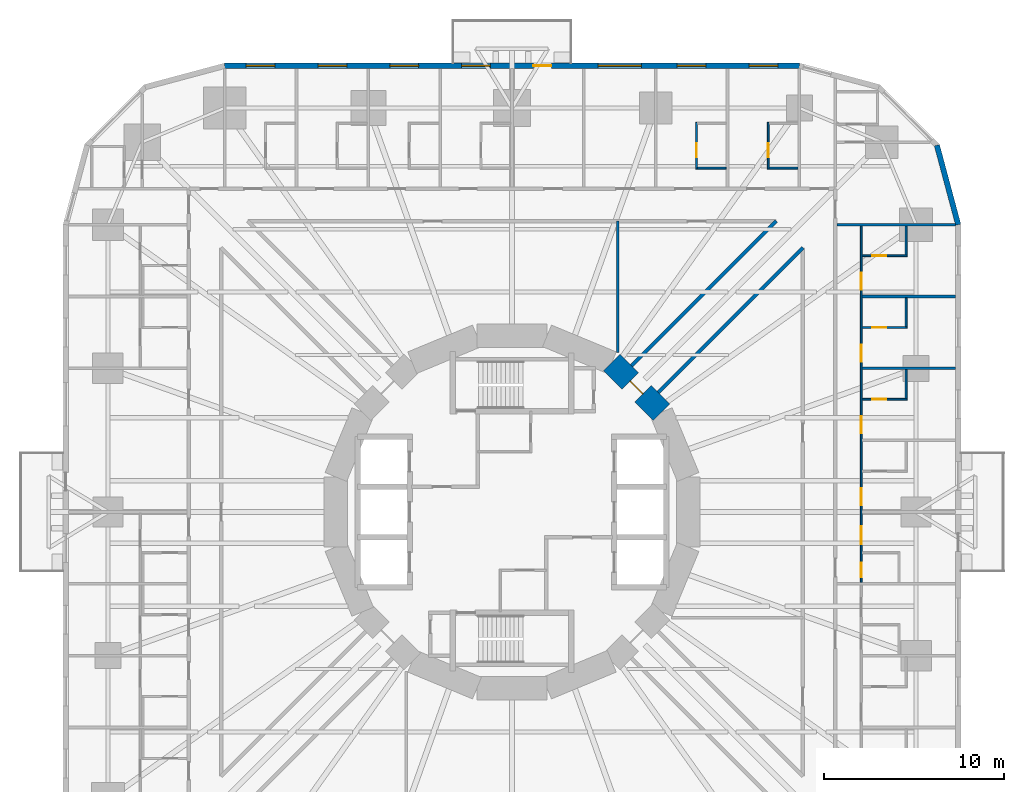
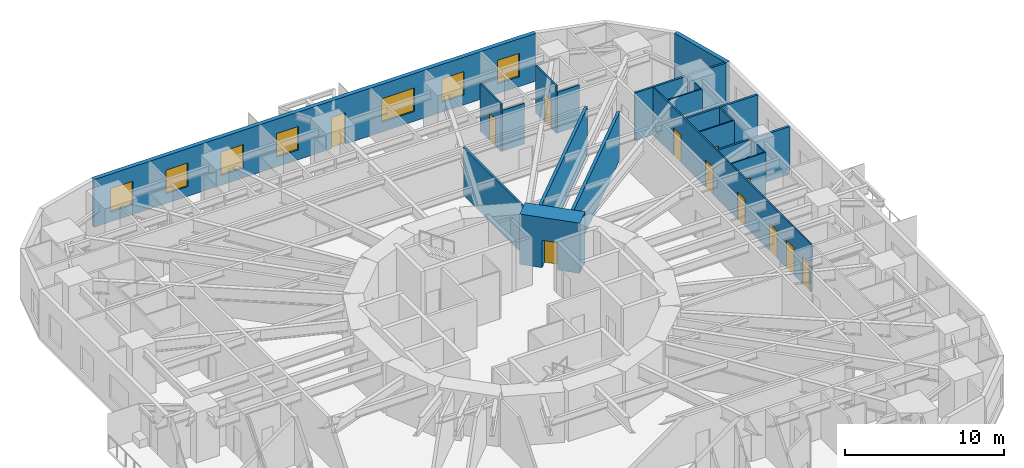
# One storey, part 11 of 14: 20 walls, 13 doors, 7 windows, 20 openings.
"""IFC4 building model written with IfcOpenShell, lengths in metres."""

from ifc_helpers import new_model, si_unit, direction, frame, frame_2d, origin, place, context, subcontext, project, spatial, rectangle, extrude, material, layer, layer_set, type_object, element, fill, save


model = new_model("IFC4")

# Units and contexts
model_context = context("Model", 3, precision=1e-05, world=origin(), true_north=direction((0.0, 1.0)))
body_context = subcontext(model_context, "Body", "Model", "MODEL_VIEW")
ifc_project = project(units=[si_unit("LENGTHUNIT", "METRE"), si_unit("AREAUNIT", "SQUARE_METRE"), si_unit("VOLUMEUNIT", "CUBIC_METRE"), si_unit("PLANEANGLEUNIT", "RADIAN"), si_unit("MASSUNIT", "GRAM", prefix="KILO")], contexts=[model_context])

# Site, building, storey
site_placement = place(None, origin())
site = spatial("IfcSite", under=ifc_project, at=site_placement, CompositionType="ELEMENT")
building_placement = place(site_placement, origin())
building = spatial("IfcBuilding", under=site, at=building_placement, Name="Nakasero Lantern House", CompositionType="ELEMENT")
storey_placement = place(building_placement, frame((0.0, 0.0, 42.949951171875)))
storey = spatial("IfcBuildingStorey", under=building, at=storey_placement, Name="L10", CompositionType="ELEMENT", Elevation=42.949951171875)

# Wall, openings, doors
ifc_material_1 = material(Name="Blockwork", Category="masonry")
ifc_layer_1 = layer(ifc_material_1, 0.10009765625)
ifc_layer_set_1 = layer_set([ifc_layer_1], Name="Cluster hall wall 100")
wall_type_1 = type_object("IfcWallType", Name="Cluster hall wall 100", PredefinedType="PARTITIONING", material=ifc_layer_set_1)
wall_1_placement = place(storey_placement, frame((19.449951171875, -3.925048828125, 0.0), z_axis=(0.0, 0.0, 1.0), x_axis=(0.0, 1.0, 0.0)))
wall_1 = element("IfcWall", 1, at=wall_1_placement, inside=storey, type_object=wall_type_1, Name="Cluster hall wall L10 HW0-1", PredefinedType="PARTITIONING", context=body_context, shape_type="SweptSolid", body=[
    extrude(rectangle(XDim=19.85009765625, YDim=0.10009765625, at=frame_2d((9.925048828125, 0.0))), origin(), (0.0, 0.0, 1.0), 3.650146484375),
])
opening_1_placement = place(wall_1_placement, frame((2.125, 0.0, 0.0)))
opening_1 = element("IfcOpeningElement", 2, at=opening_1_placement, cuts=wall_1, Name="Opening D03", PredefinedType="OPENING", context=body_context, shape_type="SweptSolid", body=[
    extrude(rectangle(XDim=1.0, YDim=2.10009765625, at=frame_2d((0.5, 1.050048828125))), frame((0.0, 0.070068359375, 0.0), z_axis=(0.0, -1.0, 0.0), x_axis=(1.0, 0.0, 0.0)), (0.0, 0.0, 1.0), 0.14013671875),
])
opening_2_placement = place(wall_1_placement, frame((0.300048828125, 0.0, 0.0)))
opening_2 = element("IfcOpeningElement", 3, at=opening_2_placement, cuts=wall_1, Name="Opening D02", PredefinedType="OPENING", context=body_context, shape_type="SweptSolid", body=[
    extrude(rectangle(XDim=0.800048828125, YDim=2.10009765625, at=frame_2d((0.39990234375, 1.050048828125))), frame((0.0, 0.070068359375, 0.0), z_axis=(0.0, -1.0, 0.0), x_axis=(1.0, 0.0, 0.0)), (0.0, 0.0, 1.0), 0.14013671875),
])
opening_3_placement = place(wall_1_placement, frame((4.300048828125, 0.0, 0.0)))
opening_3 = element("IfcOpeningElement", 4, at=opening_3_placement, cuts=wall_1, Name="Opening D01", PredefinedType="OPENING", context=body_context, shape_type="SweptSolid", body=[
    extrude(rectangle(XDim=0.949951171875, YDim=2.10009765625, at=frame_2d((0.47509765625, 1.050048828125))), frame((0.0, 0.070068359375, 0.0), z_axis=(0.0, -1.0, 0.0), x_axis=(1.0, 0.0, 0.0)), (0.0, 0.0, 1.0), 0.14013671875),
])
opening_4_placement = place(wall_1_placement, frame((8.300048828125, 0.0, 0.0)))
opening_4 = element("IfcOpeningElement", 5, at=opening_4_placement, cuts=wall_1, Name="Opening D01", PredefinedType="OPENING", context=body_context, shape_type="SweptSolid", body=[
    extrude(rectangle(XDim=0.949951171875, YDim=2.10009765625, at=frame_2d((0.47509765625, 1.050048828125))), frame((0.0, 0.070068359375, 0.0), z_axis=(0.0, -1.0, 0.0), x_axis=(1.0, 0.0, 0.0)), (0.0, 0.0, 1.0), 0.14013671875),
])
opening_5_placement = place(wall_1_placement, frame((12.300048828125, 0.0, 0.0)))
opening_5 = element("IfcOpeningElement", 6, at=opening_5_placement, cuts=wall_1, Name="Opening D01", PredefinedType="OPENING", context=body_context, shape_type="SweptSolid", body=[
    extrude(rectangle(XDim=0.949951171875, YDim=2.10009765625, at=frame_2d((0.47509765625, 1.050048828125))), frame((0.0, 0.070068359375, 0.0), z_axis=(0.0, -1.0, 0.0), x_axis=(1.0, 0.0, 0.0)), (0.0, 0.0, 1.0), 0.14013671875),
])
opening_6_placement = place(wall_1_placement, frame((16.300048828125, 0.0, 0.0)))
opening_6 = element("IfcOpeningElement", 7, at=opening_6_placement, cuts=wall_1, Name="Opening D01", PredefinedType="OPENING", context=body_context, shape_type="SweptSolid", body=[
    extrude(rectangle(XDim=0.949951171875, YDim=2.10009765625, at=frame_2d((0.47509765625, 1.050048828125))), frame((0.0, 0.070068359375, 0.0), z_axis=(0.0, -1.0, 0.0), x_axis=(1.0, 0.0, 0.0)), (0.0, 0.0, 1.0), 0.14013671875),
])
ifc_material_2 = material(Name="Timber C24", Category="wood")
door_type_1 = type_object("IfcDoorType", Name="Bedroom door FD30S 950", OperationType="SINGLE_SWING_LEFT", PredefinedType="DOOR", material=ifc_material_2)
door_1_placement = place(opening_3_placement, origin())
door_1 = element("IfcDoor", 8, at=door_1_placement, inside=storey, type_object=door_type_1, Name="Door L10 D0-05", OperationType="SINGLE_SWING_LEFT", OverallHeight=2.10009765625, OverallWidth=0.949951171875, PredefinedType="DOOR", context=body_context, shape_type="SweptSolid", body=[
    extrude(rectangle(XDim=0.949951171875, YDim=2.10009765625, at=frame_2d((0.47509765625, 1.050048828125))), frame((0.0, 0.02490234375, 0.0), z_axis=(0.0, -1.0, 0.0), x_axis=(1.0, 0.0, 0.0)), (0.0, 0.0, 1.0), 0.050048828125),
])
fill(opening_3, door_1)
door_2_placement = place(opening_4_placement, origin())
door_2 = element("IfcDoor", 9, at=door_2_placement, inside=storey, type_object=door_type_1, Name="Door L10 D0-06", OperationType="SINGLE_SWING_LEFT", OverallHeight=2.10009765625, OverallWidth=0.949951171875, PredefinedType="DOOR", context=body_context, shape_type="SweptSolid", body=[
    extrude(rectangle(XDim=0.949951171875, YDim=2.10009765625, at=frame_2d((0.47509765625, 1.050048828125))), frame((0.0, 0.02490234375, 0.0), z_axis=(0.0, -1.0, 0.0), x_axis=(1.0, 0.0, 0.0)), (0.0, 0.0, 1.0), 0.050048828125),
])
fill(opening_4, door_2)
door_3_placement = place(opening_5_placement, origin())
door_3 = element("IfcDoor", 10, at=door_3_placement, inside=storey, type_object=door_type_1, Name="Door L10 D0-07", OperationType="SINGLE_SWING_RIGHT", OverallHeight=2.10009765625, OverallWidth=0.949951171875, PredefinedType="DOOR", context=body_context, shape_type="SweptSolid", body=[
    extrude(rectangle(XDim=0.949951171875, YDim=2.10009765625, at=frame_2d((0.47509765625, 1.050048828125))), frame((0.0, 0.02490234375, 0.0), z_axis=(0.0, -1.0, 0.0), x_axis=(1.0, 0.0, 0.0)), (0.0, 0.0, 1.0), 0.050048828125),
])
fill(opening_5, door_3)
door_4_placement = place(opening_6_placement, origin())
door_4 = element("IfcDoor", 11, at=door_4_placement, inside=storey, type_object=door_type_1, Name="Door L10 D0-08", OperationType="SINGLE_SWING_RIGHT", OverallHeight=2.10009765625, OverallWidth=0.949951171875, PredefinedType="DOOR", context=body_context, shape_type="SweptSolid", body=[
    extrude(rectangle(XDim=0.949951171875, YDim=2.10009765625, at=frame_2d((0.47509765625, 1.050048828125))), frame((0.0, 0.02490234375, 0.0), z_axis=(0.0, -1.0, 0.0), x_axis=(1.0, 0.0, 0.0)), (0.0, 0.0, 1.0), 0.050048828125),
])
fill(opening_6, door_4)
ifc_material_3 = material(Name="Timber C24", Category="wood")
door_type_2 = type_object("IfcDoorType", Name="En-suite door 800", OperationType="SINGLE_SWING_RIGHT", PredefinedType="DOOR", material=ifc_material_3)
door_5_placement = place(opening_2_placement, origin())
door_5 = element("IfcDoor", 12, at=door_5_placement, inside=storey, type_object=door_type_2, Name="Door L10 DSH0-1", OperationType="SINGLE_SWING_LEFT", OverallHeight=2.10009765625, OverallWidth=0.800048828125, PredefinedType="DOOR", context=body_context, shape_type="SweptSolid", body=[
    extrude(rectangle(XDim=0.800048828125, YDim=2.10009765625, at=frame_2d((0.39990234375, 1.050048828125))), frame((0.0, 0.02490234375, 0.0), z_axis=(0.0, -1.0, 0.0), x_axis=(1.0, 0.0, 0.0)), (0.0, 0.0, 1.0), 0.050048828125),
])
fill(opening_2, door_5)
ifc_material_4 = material(Name="Timber C24", Category="wood")
door_type_3 = type_object("IfcDoorType", Name="Lounge door FD30S 1000", OperationType="SINGLE_SWING_LEFT", PredefinedType="DOOR", material=ifc_material_4)
door_6_placement = place(opening_1_placement, origin())
door_6 = element("IfcDoor", 13, at=door_6_placement, inside=storey, type_object=door_type_3, Name="Door L10 DH0-1", OperationType="SINGLE_SWING_LEFT", OverallHeight=2.10009765625, OverallWidth=1.0, PredefinedType="DOOR", context=body_context, shape_type="SweptSolid", body=[
    extrude(rectangle(XDim=1.0, YDim=2.10009765625, at=frame_2d((0.5, 1.050048828125))), frame((0.0, 0.02490234375, 0.0), z_axis=(0.0, -1.0, 0.0), x_axis=(1.0, 0.0, 0.0)), (0.0, 0.0, 1.0), 0.050048828125),
])
fill(opening_1, door_6)

# Wall, opening, door
ifc_material_5 = material(Name="Concrete C50/60", Category="concrete")
ifc_layer_2 = layer(ifc_material_5, 1.300048828125)
ifc_layer_set_2 = layer_set([ifc_layer_2], Name="Core wall 1300")
wall_type_2 = type_object("IfcWallType", Name="Core wall 1300", PredefinedType="SHEAR", material=ifc_layer_set_2)
wall_2_placement = place(storey_placement, frame((8.314697265625, 5.5556640625, 0.0), z_axis=(0.0, 0.0, 1.0), x_axis=(-0.707106781187, 0.707106781187, 0.0)))
wall_2 = element("IfcWall", 14, at=wall_2_placement, inside=storey, type_object=wall_type_2, Name="Core wall L10 facet 2", PredefinedType="SHEAR", context=body_context, shape_type="SweptSolid", body=[
    extrude(rectangle(XDim=3.90185546875, YDim=1.300048828125, at=frame_2d((1.950927734375, 0.0))), origin(), (0.0, 0.0, 1.0), 3.85009765625),
])
opening_7_placement = place(wall_2_placement, frame((1.450927734375, 0.0, 0.0)))
opening_7 = element("IfcOpeningElement", 15, at=opening_7_placement, cuts=wall_2, Name="Opening D05", PredefinedType="OPENING", context=body_context, shape_type="SweptSolid", body=[
    extrude(rectangle(XDim=1.0, YDim=2.10009765625, at=frame_2d((0.5, 1.050048828125))), frame((0.0, 0.669921875, 0.0), z_axis=(0.0, -1.0, 0.0), x_axis=(1.0, 0.0, 0.0)), (0.0, 0.0, 1.0), 1.340087890625),
])
ifc_material_6 = material(Name="Timber C24", Category="wood")
door_type_4 = type_object("IfcDoorType", Name="Core door FD60S 1000", OperationType="SINGLE_SWING_LEFT", PredefinedType="DOOR", material=ifc_material_6)
door_7_placement = place(opening_7_placement, origin())
door_7 = element("IfcDoor", 16, at=door_7_placement, inside=storey, type_object=door_type_4, Name="Door L10 D-CORE02", OperationType="SINGLE_SWING_LEFT", OverallHeight=2.10009765625, OverallWidth=1.0, PredefinedType="DOOR", context=body_context, shape_type="SweptSolid", body=[
    extrude(rectangle(XDim=1.0, YDim=2.10009765625, at=frame_2d((0.5, 1.050048828125))), frame((0.0, 0.02490234375, 0.0), z_axis=(0.0, -1.0, 0.0), x_axis=(1.0, 0.0, 0.0)), (0.0, 0.0, 1.0), 0.050048828125),
])
fill(opening_7, door_7)

# Walls
ifc_material_7 = material(Name="Blockwork", Category="masonry")
ifc_layer_3 = layer(ifc_material_7, 0.199951171875)
ifc_layer_set_3 = layer_set([ifc_layer_3], Name="Corridor wall 200")
wall_type_3 = type_object("IfcWallType", Name="Corridor wall 200", PredefinedType="PARTITIONING", material=ifc_layer_set_3)
for number, where, z_axis, x_axis, name in (
    (17, (6.65234375, 8.13720703125, 0.0), (0.0, 0.0, 1.0), (0.707106781187, 0.707106781187, 0.0), "Corridor wall L10 PS02a"),
    (18, (8.13720703125, 6.65234375, 0.0), (0.0, 0.0, 1.0), (0.707106781187, 0.707106781187, 0.0), "Corridor wall L10 PS02b"),
):
    element("IfcWall", number, at=place(storey_placement, frame(where, z_axis=z_axis, x_axis=x_axis)), inside=storey, type_object=wall_type_3, Name=name, PredefinedType="PARTITIONING", context=body_context, shape_type="SweptSolid", body=[
        extrude(rectangle(XDim=11.40234375, YDim=0.199951171875, at=frame_2d((5.701171875, 0.0))), origin(), (0.0, 0.0, 1.0), 3.650146484375),
    ])

# Wall, opening, door
ifc_material_8 = material(Name="Blockwork", Category="masonry")
ifc_layer_4 = layer(ifc_material_8, 0.10009765625)
ifc_layer_set_4 = layer_set([ifc_layer_4], Name="En-suite wall 100")
wall_type_4 = type_object("IfcWallType", Name="En-suite wall 100", PredefinedType="PARTITIONING", material=ifc_layer_set_4)
wall_3_placement = place(storey_placement, frame((19.5, 6.27490234375, 0.0), z_axis=(0.0, 0.0, 1.0), x_axis=(1.0, 0.0, 0.0)))
wall_3 = element("IfcWall", 19, at=wall_3_placement, inside=storey, type_object=wall_type_4, Name="En-suite wall L10 ES0-06", PredefinedType="PARTITIONING", context=body_context, shape_type="SweptSolid", body=[
    extrude(rectangle(XDim=2.5, YDim=0.10009765625, at=frame_2d((1.25, 0.0))), origin(), (0.0, 0.0, 1.0), 3.650146484375),
])
opening_8_placement = place(wall_3_placement, frame((0.550048828125, 0.0, 0.0)))
opening_8 = element("IfcOpeningElement", 20, at=opening_8_placement, cuts=wall_3, Name="Opening D02", PredefinedType="OPENING", context=body_context, shape_type="SweptSolid", body=[
    extrude(rectangle(XDim=0.800048828125, YDim=2.10009765625, at=frame_2d((0.39990234375, 1.050048828125))), frame((0.0, 0.070068359375, 0.0), z_axis=(0.0, -1.0, 0.0), x_axis=(1.0, 0.0, 0.0)), (0.0, 0.0, 1.0), 0.14013671875),
])
door_8_placement = place(opening_8_placement, origin())
door_8 = element("IfcDoor", 21, at=door_8_placement, inside=storey, type_object=door_type_2, Name="Door L10 DE0-06", OperationType="SINGLE_SWING_LEFT", OverallHeight=2.10009765625, OverallWidth=0.800048828125, PredefinedType="DOOR", context=body_context, shape_type="SweptSolid", body=[
    extrude(rectangle(XDim=0.800048828125, YDim=2.10009765625, at=frame_2d((0.39990234375, 1.050048828125))), frame((0.0, 0.02490234375, 0.0), z_axis=(0.0, -1.0, 0.0), x_axis=(1.0, 0.0, 0.0)), (0.0, 0.0, 1.0), 0.050048828125),
])
fill(opening_8, door_8)

# Wall
wall_4_placement = place(storey_placement, frame((21.949951171875, 6.324951171875, 0.0), z_axis=(0.0, 0.0, 1.0), x_axis=(0.0, 1.0, 0.0)))
element("IfcWall", 22, at=wall_4_placement, inside=storey, type_object=wall_type_4, Name="En-suite wall L10 EE0-06", PredefinedType="PARTITIONING", context=body_context, shape_type="SweptSolid", body=[
    extrude(rectangle(XDim=1.60009765625, YDim=0.10009765625, at=frame_2d((0.800048828125, 0.0))), origin(), (0.0, 0.0, 1.0), 3.650146484375),
])

# Wall, opening, door
wall_5_placement = place(storey_placement, frame((19.5, 10.27490234375, 0.0), z_axis=(0.0, 0.0, 1.0), x_axis=(1.0, 0.0, 0.0)))
wall_5 = element("IfcWall", 23, at=wall_5_placement, inside=storey, type_object=wall_type_4, Name="En-suite wall L10 ES0-07", PredefinedType="PARTITIONING", context=body_context, shape_type="SweptSolid", body=[
    extrude(rectangle(XDim=2.5, YDim=0.10009765625, at=frame_2d((1.25, 0.0))), origin(), (0.0, 0.0, 1.0), 3.650146484375),
])
opening_9_placement = place(wall_5_placement, frame((0.550048828125, 0.0, 0.0)))
opening_9 = element("IfcOpeningElement", 24, at=opening_9_placement, cuts=wall_5, Name="Opening D02", PredefinedType="OPENING", context=body_context, shape_type="SweptSolid", body=[
    extrude(rectangle(XDim=0.800048828125, YDim=2.10009765625, at=frame_2d((0.39990234375, 1.050048828125))), frame((0.0, 0.070068359375, 0.0), z_axis=(0.0, -1.0, 0.0), x_axis=(1.0, 0.0, 0.0)), (0.0, 0.0, 1.0), 0.14013671875),
])
door_9_placement = place(opening_9_placement, origin())
door_9 = element("IfcDoor", 25, at=door_9_placement, inside=storey, type_object=door_type_2, Name="Door L10 DE0-07", OperationType="SINGLE_SWING_LEFT", OverallHeight=2.10009765625, OverallWidth=0.800048828125, PredefinedType="DOOR", context=body_context, shape_type="SweptSolid", body=[
    extrude(rectangle(XDim=0.800048828125, YDim=2.10009765625, at=frame_2d((0.39990234375, 1.050048828125))), frame((0.0, 0.02490234375, 0.0), z_axis=(0.0, -1.0, 0.0), x_axis=(1.0, 0.0, 0.0)), (0.0, 0.0, 1.0), 0.050048828125),
])
fill(opening_9, door_9)

# Wall
wall_6_placement = place(storey_placement, frame((21.949951171875, 10.324951171875, 0.0), z_axis=(0.0, 0.0, 1.0), x_axis=(0.0, 1.0, 0.0)))
element("IfcWall", 26, at=wall_6_placement, inside=storey, type_object=wall_type_4, Name="En-suite wall L10 EE0-07", PredefinedType="PARTITIONING", context=body_context, shape_type="SweptSolid", body=[
    extrude(rectangle(XDim=1.60009765625, YDim=0.10009765625, at=frame_2d((0.800048828125, 0.0))), origin(), (0.0, 0.0, 1.0), 3.650146484375),
])

# Wall, opening, door
wall_7_placement = place(storey_placement, frame((19.5, 14.27490234375, 0.0), z_axis=(0.0, 0.0, 1.0), x_axis=(1.0, 0.0, 0.0)))
wall_7 = element("IfcWall", 27, at=wall_7_placement, inside=storey, type_object=wall_type_4, Name="En-suite wall L10 ES0-08", PredefinedType="PARTITIONING", context=body_context, shape_type="SweptSolid", body=[
    extrude(rectangle(XDim=2.5, YDim=0.10009765625, at=frame_2d((1.25, 0.0))), origin(), (0.0, 0.0, 1.0), 3.650146484375),
])
opening_10_placement = place(wall_7_placement, frame((0.550048828125, 0.0, 0.0)))
opening_10 = element("IfcOpeningElement", 28, at=opening_10_placement, cuts=wall_7, Name="Opening D02", PredefinedType="OPENING", context=body_context, shape_type="SweptSolid", body=[
    extrude(rectangle(XDim=0.800048828125, YDim=2.10009765625, at=frame_2d((0.39990234375, 1.050048828125))), frame((0.0, 0.070068359375, 0.0), z_axis=(0.0, -1.0, 0.0), x_axis=(1.0, 0.0, 0.0)), (0.0, 0.0, 1.0), 0.14013671875),
])
door_10_placement = place(opening_10_placement, origin())
door_10 = element("IfcDoor", 29, at=door_10_placement, inside=storey, type_object=door_type_2, Name="Door L10 DE0-08", OperationType="SINGLE_SWING_LEFT", OverallHeight=2.10009765625, OverallWidth=0.800048828125, PredefinedType="DOOR", context=body_context, shape_type="SweptSolid", body=[
    extrude(rectangle(XDim=0.800048828125, YDim=2.10009765625, at=frame_2d((0.39990234375, 1.050048828125))), frame((0.0, 0.02490234375, 0.0), z_axis=(0.0, -1.0, 0.0), x_axis=(1.0, 0.0, 0.0)), (0.0, 0.0, 1.0), 0.050048828125),
])
fill(opening_10, door_10)

# Wall
wall_8_placement = place(storey_placement, frame((21.949951171875, 14.324951171875, 0.0), z_axis=(0.0, 0.0, 1.0), x_axis=(0.0, 1.0, 0.0)))
element("IfcWall", 30, at=wall_8_placement, inside=storey, type_object=wall_type_4, Name="En-suite wall L10 EE0-08", PredefinedType="PARTITIONING", context=body_context, shape_type="SweptSolid", body=[
    extrude(rectangle(XDim=1.60009765625, YDim=0.10009765625, at=frame_2d((0.800048828125, 0.0))), origin(), (0.0, 0.0, 1.0), 3.650146484375),
])

# Wall, opening, door
wall_9_placement = place(storey_placement, frame((14.27490234375, 19.10009765625, 0.0), z_axis=(0.0, 0.0, 1.0), x_axis=(0.0, 1.0, 0.0)))
wall_9 = element("IfcWall", 31, at=wall_9_placement, inside=storey, type_object=wall_type_4, Name="En-suite wall L10 ES1-01", PredefinedType="PARTITIONING", context=body_context, shape_type="SweptSolid", body=[
    extrude(rectangle(XDim=2.599853515625, YDim=0.10009765625, at=frame_2d((1.2998046875, 0.0))), origin(), (0.0, 0.0, 1.0), 3.650146484375),
])
opening_11_placement = place(wall_9_placement, frame((0.64990234375, 0.0, 0.0)))
opening_11 = element("IfcOpeningElement", 32, at=opening_11_placement, cuts=wall_9, Name="Opening D02", PredefinedType="OPENING", context=body_context, shape_type="SweptSolid", body=[
    extrude(rectangle(XDim=0.800048828125, YDim=2.10009765625, at=frame_2d((0.39990234375, 1.050048828125))), frame((0.0, 0.070068359375, 0.0), z_axis=(0.0, -1.0, 0.0), x_axis=(1.0, 0.0, 0.0)), (0.0, 0.0, 1.0), 0.14013671875),
])
door_11_placement = place(opening_11_placement, origin())
door_11 = element("IfcDoor", 33, at=door_11_placement, inside=storey, type_object=door_type_2, Name="Door L10 DE1-01", OperationType="SINGLE_SWING_LEFT", OverallHeight=2.10009765625, OverallWidth=0.800048828125, PredefinedType="DOOR", context=body_context, shape_type="SweptSolid", body=[
    extrude(rectangle(XDim=0.800048828125, YDim=2.10009765625, at=frame_2d((0.39990234375, 1.050048828125))), frame((0.0, 0.02490234375, 0.0), z_axis=(0.0, -1.0, 0.0), x_axis=(1.0, 0.0, 0.0)), (0.0, 0.0, 1.0), 0.050048828125),
])
fill(opening_11, door_11)

# Wall
wall_10_placement = place(storey_placement, frame((15.925048828125, 19.14990234375, 0.0), z_axis=(0.0, 0.0, 1.0), x_axis=(-1.0, 0.0, 0.0)))
element("IfcWall", 34, at=wall_10_placement, inside=storey, type_object=wall_type_4, Name="En-suite wall L10 EI1-01", PredefinedType="PARTITIONING", context=body_context, shape_type="SweptSolid", body=[
    extrude(rectangle(XDim=1.60009765625, YDim=0.10009765625, at=frame_2d((0.800048828125, 0.0))), origin(), (0.0, 0.0, 1.0), 3.121826171875),
])

# Wall, opening, door
wall_11_placement = place(storey_placement, frame((10.27490234375, 19.10009765625, 0.0), z_axis=(0.0, 0.0, 1.0), x_axis=(0.0, 1.0, 0.0)))
wall_11 = element("IfcWall", 35, at=wall_11_placement, inside=storey, type_object=wall_type_4, Name="En-suite wall L10 ES1-02", PredefinedType="PARTITIONING", context=body_context, shape_type="SweptSolid", body=[
    extrude(rectangle(XDim=2.599853515625, YDim=0.10009765625, at=frame_2d((1.2998046875, 0.0))), origin(), (0.0, 0.0, 1.0), 3.650146484375),
])
opening_12_placement = place(wall_11_placement, frame((0.64990234375, 0.0, 0.0)))
opening_12 = element("IfcOpeningElement", 36, at=opening_12_placement, cuts=wall_11, Name="Opening D02", PredefinedType="OPENING", context=body_context, shape_type="SweptSolid", body=[
    extrude(rectangle(XDim=0.800048828125, YDim=2.10009765625, at=frame_2d((0.39990234375, 1.050048828125))), frame((0.0, 0.070068359375, 0.0), z_axis=(0.0, -1.0, 0.0), x_axis=(1.0, 0.0, 0.0)), (0.0, 0.0, 1.0), 0.14013671875),
])
door_12_placement = place(opening_12_placement, origin())
door_12 = element("IfcDoor", 37, at=door_12_placement, inside=storey, type_object=door_type_2, Name="Door L10 DE1-02", OperationType="SINGLE_SWING_LEFT", OverallHeight=2.10009765625, OverallWidth=0.800048828125, PredefinedType="DOOR", context=body_context, shape_type="SweptSolid", body=[
    extrude(rectangle(XDim=0.800048828125, YDim=2.10009765625, at=frame_2d((0.39990234375, 1.050048828125))), frame((0.0, 0.02490234375, 0.0), z_axis=(0.0, -1.0, 0.0), x_axis=(1.0, 0.0, 0.0)), (0.0, 0.0, 1.0), 0.050048828125),
])
fill(opening_12, door_12)

# Walls
wall_12_placement = place(storey_placement, frame((11.925048828125, 19.14990234375, 0.0), z_axis=(0.0, 0.0, 1.0), x_axis=(-1.0, 0.0, 0.0)))
element("IfcWall", 38, at=wall_12_placement, inside=storey, type_object=wall_type_4, Name="En-suite wall L10 EI1-02", PredefinedType="PARTITIONING", context=body_context, shape_type="SweptSolid", body=[
    extrude(rectangle(XDim=1.60009765625, YDim=0.10009765625, at=frame_2d((0.800048828125, 0.0))), origin(), (0.0, 0.0, 1.0), 3.121826171875),
])
ifc_material_9 = material(Name="Aluminium rainscreen on blockwork", Category="masonry")
ifc_layer_5 = layer(ifc_material_9, 0.300048828125)
ifc_layer_set_5 = layer_set([ifc_layer_5], Name="Facade wall 300")
wall_type_5 = type_object("IfcWallType", Name="Facade wall 300", PredefinedType="SOLIDWALL", material=ifc_layer_set_5)
wall_13_placement = place(storey_placement, frame((24.85009765625, 16.0, 0.0), z_axis=(0.0, 0.0, 1.0), x_axis=(-0.258839972501, 0.965920218567, 0.0)))
element("IfcWall", 39, at=wall_13_placement, inside=storey, type_object=wall_type_5, Name="Facade wall L10 FW0C1", PredefinedType="SOLIDWALL", context=body_context, shape_type="SweptSolid", body=[
    extrude(rectangle(XDim=4.5810546875, YDim=0.300048828125, at=frame_2d((2.29052734375, 0.0))), origin(), (0.0, 0.0, 1.0), 3.650146484375),
])

# Wall, openings, door, windows
wall_14_placement = place(storey_placement, frame((16.0, 24.85009765625, 0.0), z_axis=(0.0, 0.0, 1.0), x_axis=(-1.0, 0.0, 0.0)))
wall_14 = element("IfcWall", 40, at=wall_14_placement, inside=storey, type_object=wall_type_5, Name="Facade wall L10 FW1S", PredefinedType="SOLIDWALL", context=body_context, shape_type="SweptSolid", body=[
    extrude(rectangle(XDim=32.0, YDim=0.300048828125, at=frame_2d((16.0, 0.0))), origin(), (0.0, 0.0, 1.0), 3.650146484375),
])
opening_13_placement = place(wall_14_placement, frame((1.199951171875, 0.0, 0.75)))
opening_13 = element("IfcOpeningElement", 41, at=opening_13_placement, cuts=wall_14, Name="Opening W01", PredefinedType="OPENING", context=body_context, shape_type="SweptSolid", body=[
    extrude(rectangle(XDim=1.60009765625, YDim=1.800048828125, at=frame_2d((0.800048828125, 0.89990234375))), frame((0.0, 0.169921875, 0.0), z_axis=(0.0, -1.0, 0.0), x_axis=(1.0, 0.0, 0.0)), (0.0, 0.0, 1.0), 0.340087890625),
])
opening_14_placement = place(wall_14_placement, frame((5.199951171875, 0.0, 0.75)))
opening_14 = element("IfcOpeningElement", 42, at=opening_14_placement, cuts=wall_14, Name="Opening W01", PredefinedType="OPENING", context=body_context, shape_type="SweptSolid", body=[
    extrude(rectangle(XDim=1.60009765625, YDim=1.800048828125, at=frame_2d((0.800048828125, 0.89990234375))), frame((0.0, 0.169921875, 0.0), z_axis=(0.0, -1.0, 0.0), x_axis=(1.0, 0.0, 0.0)), (0.0, 0.0, 1.0), 0.340087890625),
])
opening_15_placement = place(wall_14_placement, frame((17.199951171875, 0.0, 0.75)))
opening_15 = element("IfcOpeningElement", 43, at=opening_15_placement, cuts=wall_14, Name="Opening W01", PredefinedType="OPENING", context=body_context, shape_type="SweptSolid", body=[
    extrude(rectangle(XDim=1.60009765625, YDim=1.800048828125, at=frame_2d((0.800048828125, 0.89990234375))), frame((0.0, 0.169921875, 0.0), z_axis=(0.0, -1.0, 0.0), x_axis=(1.0, 0.0, 0.0)), (0.0, 0.0, 1.0), 0.340087890625),
])
opening_16_placement = place(wall_14_placement, frame((21.199951171875, 0.0, 0.75)))
opening_16 = element("IfcOpeningElement", 44, at=opening_16_placement, cuts=wall_14, Name="Opening W01", PredefinedType="OPENING", context=body_context, shape_type="SweptSolid", body=[
    extrude(rectangle(XDim=1.60009765625, YDim=1.800048828125, at=frame_2d((0.800048828125, 0.89990234375))), frame((0.0, 0.169921875, 0.0), z_axis=(0.0, -1.0, 0.0), x_axis=(1.0, 0.0, 0.0)), (0.0, 0.0, 1.0), 0.340087890625),
])
opening_17_placement = place(wall_14_placement, frame((25.199951171875, 0.0, 0.75)))
opening_17 = element("IfcOpeningElement", 45, at=opening_17_placement, cuts=wall_14, Name="Opening W01", PredefinedType="OPENING", context=body_context, shape_type="SweptSolid", body=[
    extrude(rectangle(XDim=1.60009765625, YDim=1.800048828125, at=frame_2d((0.800048828125, 0.89990234375))), frame((0.0, 0.169921875, 0.0), z_axis=(0.0, -1.0, 0.0), x_axis=(1.0, 0.0, 0.0)), (0.0, 0.0, 1.0), 0.340087890625),
])
opening_18_placement = place(wall_14_placement, frame((29.199951171875, 0.0, 0.75)))
opening_18 = element("IfcOpeningElement", 46, at=opening_18_placement, cuts=wall_14, Name="Opening W01", PredefinedType="OPENING", context=body_context, shape_type="SweptSolid", body=[
    extrude(rectangle(XDim=1.60009765625, YDim=1.800048828125, at=frame_2d((0.800048828125, 0.89990234375))), frame((0.0, 0.169921875, 0.0), z_axis=(0.0, -1.0, 0.0), x_axis=(1.0, 0.0, 0.0)), (0.0, 0.0, 1.0), 0.340087890625),
])
opening_19_placement = place(wall_14_placement, frame((8.800048828125, 0.0, 0.75)))
opening_19 = element("IfcOpeningElement", 47, at=opening_19_placement, cuts=wall_14, Name="Opening W03", PredefinedType="OPENING", context=body_context, shape_type="SweptSolid", body=[
    extrude(rectangle(XDim=2.39990234375, YDim=1.800048828125, at=frame_2d((1.199951171875, 0.89990234375))), frame((0.0, 0.169921875, 0.0), z_axis=(0.0, -1.0, 0.0), x_axis=(1.0, 0.0, 0.0)), (0.0, 0.0, 1.0), 0.340087890625),
])
opening_20_placement = place(wall_14_placement, frame((13.8125, 0.0, 0.0)))
opening_20 = element("IfcOpeningElement", 48, at=opening_20_placement, cuts=wall_14, Name="Opening D04", PredefinedType="OPENING", context=body_context, shape_type="SweptSolid", body=[
    extrude(rectangle(XDim=1.0, YDim=2.39990234375, at=frame_2d((0.5, 1.199951171875))), frame((0.0, 0.169921875, 0.0), z_axis=(0.0, -1.0, 0.0), x_axis=(1.0, 0.0, 0.0)), (0.0, 0.0, 1.0), 0.340087890625),
])
ifc_material_10 = material(Name="Aluminium 6063-T6 and glass", Category="aluminium")
door_type_5 = type_object("IfcDoorType", Name="Balcony door 1000x2400", OperationType="SINGLE_SWING_RIGHT", PredefinedType="DOOR", material=ifc_material_10)
door_13_placement = place(opening_20_placement, origin())
door_13 = element("IfcDoor", 49, at=door_13_placement, inside=storey, type_object=door_type_5, Name="Balcony door L10 DB1", OperationType="SINGLE_SWING_RIGHT", OverallHeight=2.39990234375, OverallWidth=1.0, PredefinedType="DOOR", context=body_context, shape_type="SweptSolid", body=[
    extrude(rectangle(XDim=1.0, YDim=2.39990234375, at=frame_2d((0.5, 1.199951171875))), frame((0.0, 0.02490234375, 0.0), z_axis=(0.0, -1.0, 0.0), x_axis=(1.0, 0.0, 0.0)), (0.0, 0.0, 1.0), 0.050048828125),
])
fill(opening_20, door_13)
ifc_material_11 = material(Name="Aluminium 6063-T6 and glass", Category="aluminium")
window_type_1 = type_object("IfcWindowType", Name="Bedroom window 1600x1800", PartitioningType="SINGLE_PANEL", PredefinedType="WINDOW", material=ifc_material_11)
window_1_placement = place(opening_13_placement, origin())
window_1 = element("IfcWindow", 50, at=window_1_placement, inside=storey, type_object=window_type_1, Name="Window L10 WN1-01", OverallHeight=1.800048828125, OverallWidth=1.60009765625, PartitioningType="SINGLE_PANEL", PredefinedType="WINDOW", context=body_context, shape_type="SweptSolid", body=[
    extrude(rectangle(XDim=1.60009765625, YDim=1.800048828125, at=frame_2d((0.800048828125, 0.89990234375))), frame((0.0, 0.030029296875, 0.0), z_axis=(0.0, -1.0, 0.0), x_axis=(1.0, 0.0, 0.0)), (0.0, 0.0, 1.0), 0.06005859375),
])
fill(opening_13, window_1)
window_2_placement = place(opening_14_placement, origin())
window_2 = element("IfcWindow", 51, at=window_2_placement, inside=storey, type_object=window_type_1, Name="Window L10 WN1-02", OverallHeight=1.800048828125, OverallWidth=1.60009765625, PartitioningType="SINGLE_PANEL", PredefinedType="WINDOW", context=body_context, shape_type="SweptSolid", body=[
    extrude(rectangle(XDim=1.60009765625, YDim=1.800048828125, at=frame_2d((0.800048828125, 0.89990234375))), frame((0.0, 0.030029296875, 0.0), z_axis=(0.0, -1.0, 0.0), x_axis=(1.0, 0.0, 0.0)), (0.0, 0.0, 1.0), 0.06005859375),
])
fill(opening_14, window_2)
window_3_placement = place(opening_15_placement, origin())
window_3 = element("IfcWindow", 52, at=window_3_placement, inside=storey, type_object=window_type_1, Name="Window L10 WN1-05", OverallHeight=1.800048828125, OverallWidth=1.60009765625, PartitioningType="SINGLE_PANEL", PredefinedType="WINDOW", context=body_context, shape_type="SweptSolid", body=[
    extrude(rectangle(XDim=1.60009765625, YDim=1.800048828125, at=frame_2d((0.800048828125, 0.89990234375))), frame((0.0, 0.030029296875, 0.0), z_axis=(0.0, -1.0, 0.0), x_axis=(1.0, 0.0, 0.0)), (0.0, 0.0, 1.0), 0.06005859375),
])
fill(opening_15, window_3)
window_4_placement = place(opening_16_placement, origin())
window_4 = element("IfcWindow", 53, at=window_4_placement, inside=storey, type_object=window_type_1, Name="Window L10 WN1-06", OverallHeight=1.800048828125, OverallWidth=1.60009765625, PartitioningType="SINGLE_PANEL", PredefinedType="WINDOW", context=body_context, shape_type="SweptSolid", body=[
    extrude(rectangle(XDim=1.60009765625, YDim=1.800048828125, at=frame_2d((0.800048828125, 0.89990234375))), frame((0.0, 0.030029296875, 0.0), z_axis=(0.0, -1.0, 0.0), x_axis=(1.0, 0.0, 0.0)), (0.0, 0.0, 1.0), 0.06005859375),
])
fill(opening_16, window_4)
window_5_placement = place(opening_17_placement, origin())
window_5 = element("IfcWindow", 54, at=window_5_placement, inside=storey, type_object=window_type_1, Name="Window L10 WN1-07", OverallHeight=1.800048828125, OverallWidth=1.60009765625, PartitioningType="SINGLE_PANEL", PredefinedType="WINDOW", context=body_context, shape_type="SweptSolid", body=[
    extrude(rectangle(XDim=1.60009765625, YDim=1.800048828125, at=frame_2d((0.800048828125, 0.89990234375))), frame((0.0, 0.030029296875, 0.0), z_axis=(0.0, -1.0, 0.0), x_axis=(1.0, 0.0, 0.0)), (0.0, 0.0, 1.0), 0.06005859375),
])
fill(opening_17, window_5)
window_6_placement = place(opening_18_placement, origin())
window_6 = element("IfcWindow", 55, at=window_6_placement, inside=storey, type_object=window_type_1, Name="Window L10 WN1-08", OverallHeight=1.800048828125, OverallWidth=1.60009765625, PartitioningType="SINGLE_PANEL", PredefinedType="WINDOW", context=body_context, shape_type="SweptSolid", body=[
    extrude(rectangle(XDim=1.60009765625, YDim=1.800048828125, at=frame_2d((0.800048828125, 0.89990234375))), frame((0.0, 0.030029296875, 0.0), z_axis=(0.0, -1.0, 0.0), x_axis=(1.0, 0.0, 0.0)), (0.0, 0.0, 1.0), 0.06005859375),
])
fill(opening_18, window_6)
ifc_material_12 = material(Name="Aluminium 6063-T6 and glass", Category="aluminium")
window_type_2 = type_object("IfcWindowType", Name="Lounge window 2400x1800", PartitioningType="SINGLE_PANEL", PredefinedType="WINDOW", material=ifc_material_12)
window_7_placement = place(opening_19_placement, origin())
window_7 = element("IfcWindow", 56, at=window_7_placement, inside=storey, type_object=window_type_2, Name="Window L10 WK1", OverallHeight=1.800048828125, OverallWidth=2.39990234375, PartitioningType="SINGLE_PANEL", PredefinedType="WINDOW", context=body_context, shape_type="SweptSolid", body=[
    extrude(rectangle(XDim=2.39990234375, YDim=1.800048828125, at=frame_2d((1.199951171875, 0.89990234375))), frame((0.0, 0.030029296875, 0.0), z_axis=(0.0, -1.0, 0.0), x_axis=(1.0, 0.0, 0.0)), (0.0, 0.0, 1.0), 0.06005859375),
])
fill(opening_19, window_7)

# Walls
ifc_material_13 = material(Name="Blockwork", Category="masonry")
ifc_layer_6 = layer(ifc_material_13, 0.14990234375)
ifc_layer_set_6 = layer_set([ifc_layer_6], Name="Party wall 150")
wall_type_6 = type_object("IfcWallType", Name="Party wall 150", PredefinedType="PARTITIONING", material=ifc_layer_set_6)
for number, where, z_axis, x_axis, name in (
    (57, (19.5, 8.0, 0.0), (0.0, 0.0, 1.0), (1.0, 0.0, 0.0), "Party wall L10 PW0-07"),
    (58, (19.5, 12.0, 0.0), (0.0, 0.0, 1.0), (1.0, 0.0, 0.0), "Party wall L10 PW0-08"),
):
    element("IfcWall", number, at=place(storey_placement, frame(where, z_axis=z_axis, x_axis=x_axis)), inside=storey, type_object=wall_type_6, Name=name, PredefinedType="PARTITIONING", context=body_context, shape_type="SweptSolid", body=[
        extrude(rectangle(XDim=5.199951171875, YDim=0.14990234375, at=frame_2d((2.60009765625, 0.0))), origin(), (0.0, 0.0, 1.0), 3.650146484375),
    ])
wall_15_placement = place(storey_placement, frame((18.10009765625, 16.0, 0.0), z_axis=(0.0, 0.0, 1.0), x_axis=(1.0, 0.0, 0.0)))
element("IfcWall", 59, at=wall_15_placement, inside=storey, type_object=wall_type_6, Name="Party wall L10 PW0-09", PredefinedType="PARTITIONING", context=body_context, shape_type="SweptSolid", body=[
    extrude(rectangle(XDim=6.58935546875, YDim=0.14990234375, at=frame_2d((3.294677734375, 0.0))), origin(), (0.0, 0.0, 1.0), 3.650146484375),
])
wall_16_placement = place(storey_placement, frame((5.885986328125, 8.88134765625, 0.0), z_axis=(0.0, 0.0, 1.0), x_axis=(0.0, 1.0, 0.0)))
element("IfcWall", 60, at=wall_16_placement, inside=storey, type_object=wall_type_6, Name="Party wall L10 IS2", PredefinedType="PARTITIONING", context=body_context, shape_type="SweptSolid", body=[
    extrude(rectangle(XDim=7.318603515625, YDim=0.14990234375, at=frame_2d((3.6591796875, 0.0))), origin(), (0.0, 0.0, 1.0), 3.650146484375),
])

save(model, "model.ifc")
